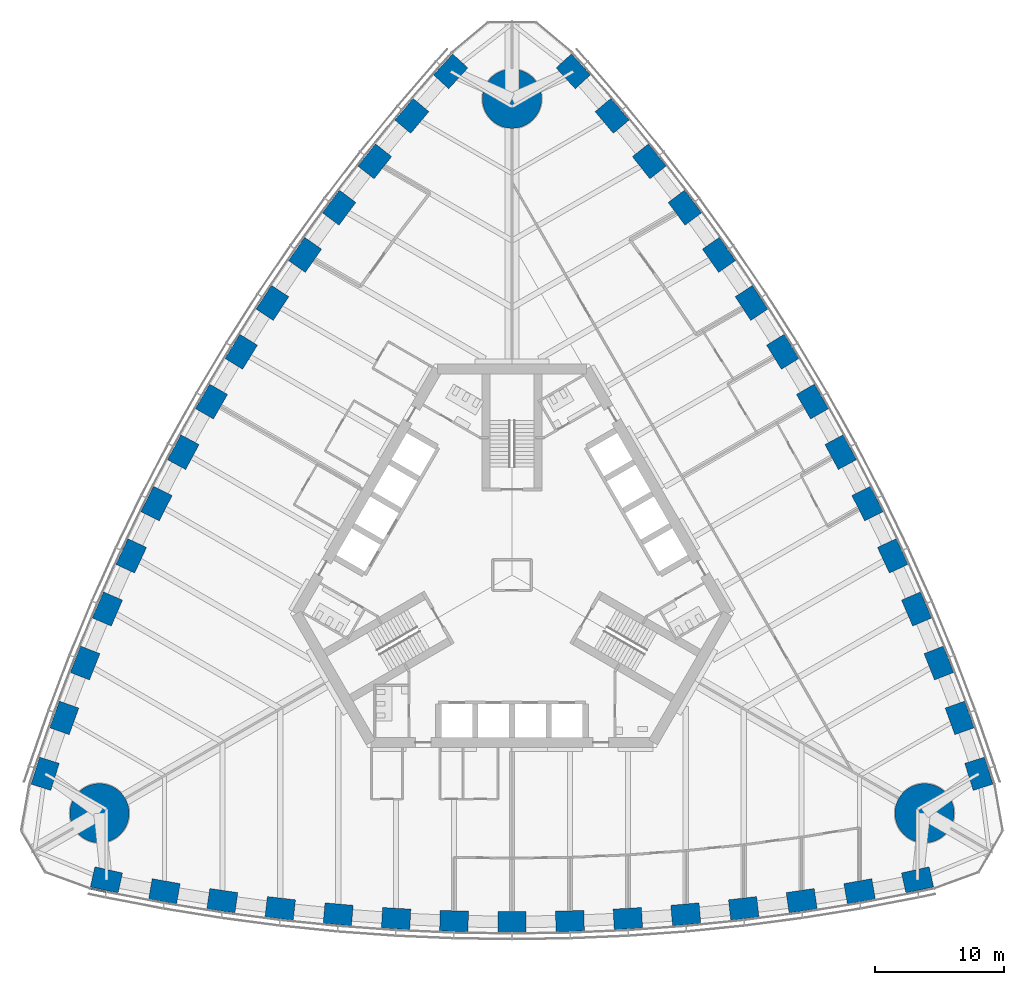
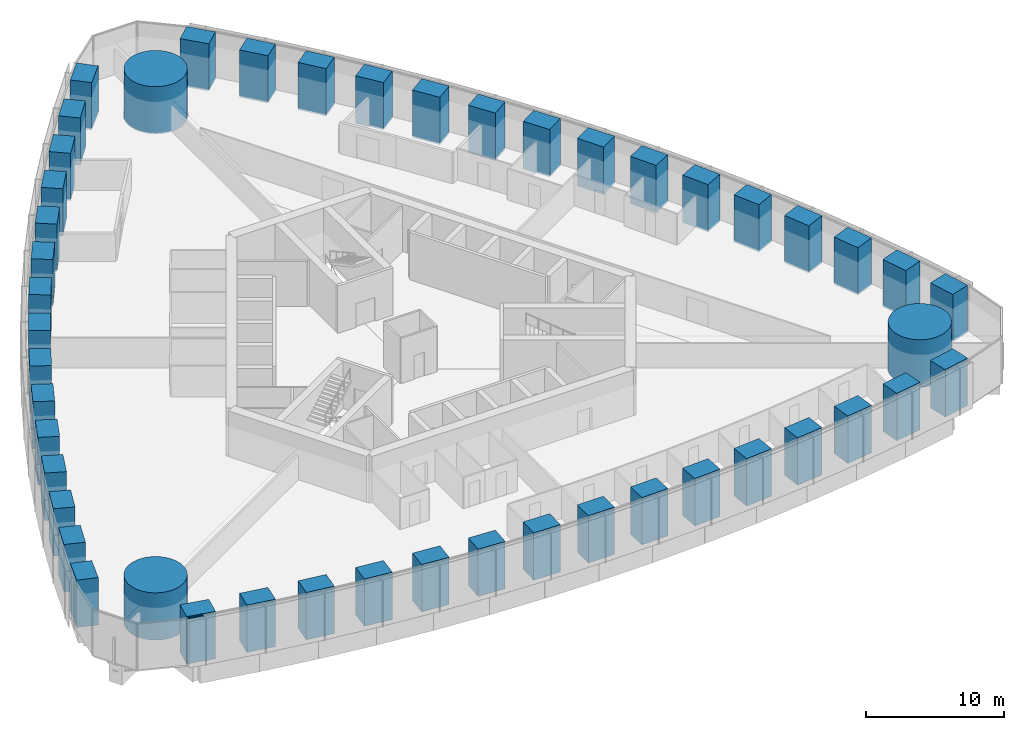
# One storey, part 1 of 18: 48 columns, 1 member, 1 element without a shape of its own.
"""IFC4 building model written with IfcOpenShell, lengths in metres."""

from ifc_helpers import new_model, si_unit, direction, frame, origin, origin_2d, place, context, subcontext, project, spatial, rectangle, circle, extrude, material, material_profile, profile_set, type_object, element, aggregate, save


model = new_model("IFC4")

# Units and contexts
model_context = context("Model", 3, precision=1e-05, world=origin(), true_north=direction((0.0, 1.0)))
body_context = subcontext(model_context, "Body", "Model", "MODEL_VIEW")
ifc_project = project(units=[si_unit("LENGTHUNIT", "METRE"), si_unit("AREAUNIT", "SQUARE_METRE"), si_unit("VOLUMEUNIT", "CUBIC_METRE"), si_unit("PLANEANGLEUNIT", "RADIAN"), si_unit("MASSUNIT", "GRAM", prefix="KILO")], contexts=[model_context])

# Site, building, storey
site_placement = place(None, origin())
site = spatial("IfcSite", under=ifc_project, at=site_placement, CompositionType="ELEMENT")
building_placement = place(site_placement, origin())
building = spatial("IfcBuilding", under=site, at=building_placement, Name="Trefoil Bronze Tower", CompositionType="ELEMENT")
storey_placement = place(building_placement, frame((0.0, 0.0, 66.89990234375)))
storey = spatial("IfcBuildingStorey", under=building, at=storey_placement, Name="L15", CompositionType="ELEMENT", Elevation=66.89990234375)

# Columns
ifc_material_1 = material(Name="Concrete B80", Category="concrete")
ifc_material_profile_1 = material_profile(ifc_material_1, circle(Radius=2.300048828125, at=origin_2d()), Name="RC D4600")
ifc_profile_set_1 = profile_set([ifc_material_profile_1], Name="Concrete B80")
column_type_1 = type_object("IfcColumnType", Name="Mega column RC D4600", PredefinedType="COLUMN", material=ifc_profile_set_1)
for number, where, z_axis, x_axis, name in (
    (1, (32.04296875, -18.5, 0.0), (0.0, 0.0, 1.0), (1.0, 0.0, 0.0), "Mega column K1 L15"),
    (2, (0.0, 37.0, 0.0), (0.0, 0.0, 1.0), (1.0, 0.0, 0.0), "Mega column K2 L15"),
    (3, (-32.04296875, -18.5, 0.0), (0.0, 0.0, 1.0), (1.0, 0.0, 0.0), "Mega column K3 L15"),
):
    element("IfcColumn", number, at=place(storey_placement, frame(where, z_axis=z_axis, x_axis=x_axis)), inside=storey, type_object=column_type_1, Name=name, PredefinedType="COLUMN", context=body_context, shape_type="SweptSolid", body=[
        extrude(circle(Radius=2.300048828125, at=origin_2d()), origin(), (0.0, 0.0, 1.0), 4.2001953125),
    ])
ifc_material_2 = material(Name="Concrete B80", Category="concrete")
ifc_material_profile_2 = material_profile(ifc_material_2, rectangle(XDim=2.199951171875, YDim=1.60009765625, at=origin_2d()), Name="RC 2200x1600")
ifc_profile_set_2 = profile_set([ifc_material_profile_2], Name="Concrete B80")
column_type_2 = type_object("IfcColumnType", Name="Tube column RC 2200x1600", PredefinedType="COLUMN", material=ifc_profile_set_2)
for number, where, z_axis, x_axis, name in (
    (4, (-31.5, -23.684814453125, 0.0), (0.0, 0.0, 1.0), (0.976229647342, -0.216738726697, 0.0), "Tube column F1/-7 L15"),
    (5, (-27.0, -24.56787109375, 0.0), (0.0, 0.0, 1.0), (0.984722470468, -0.174131146426, 0.0), "Tube column F1/-6 L15"),
    (6, (-22.5, -25.29931640625, 0.0), (0.0, 0.0, 1.0), (0.989415676546, -0.145108990094, 0.0), "Tube column F1/-5 L15"),
    (7, (-18.0, -25.895263671875, 0.0), (0.0, 0.0, 1.0), (0.993239048989, -0.116086999973, 0.0), "Tube column F1/-4 L15"),
    (8, (-13.5, -26.35693359375, 0.0), (0.0, 0.0, 1.0), (0.996202620701, -0.087065139456, 0.0), "Tube column F1/-3 L15"),
    (9, (-9.0, -26.68603515625, 0.0), (0.0, 0.0, 1.0), (0.998314062162, -0.058043374207, 0.0), "Tube column F1/-2 L15"),
    (10, (-4.5, -26.883056640625, 0.0), (0.0, 0.0, 1.0), (0.999578782577, -0.029021671584, 0.0), "Tube column F1/-1 L15"),
    (11, (0.0, -26.94873046875, 0.0), (0.0, 0.0, 1.0), (1.0, 0.0, 0.0), "Tube column F1/+0 L15"),
    (12, (4.5, -26.883056640625, 0.0), (0.0, 0.0, 1.0), (0.999578782577, 0.029021671584, 0.0), "Tube column F1/+1 L15"),
    (13, (9.0, -26.68603515625, 0.0), (0.0, 0.0, 1.0), (0.998314062162, 0.058043374207, 0.0), "Tube column F1/+2 L15"),
    (14, (13.5, -26.35693359375, 0.0), (0.0, 0.0, 1.0), (0.996202620701, 0.087065139456, 0.0), "Tube column F1/+3 L15"),
    (15, (18.0, -25.895263671875, 0.0), (0.0, 0.0, 1.0), (0.993239048989, 0.116086999973, 0.0), "Tube column F1/+4 L15"),
    (16, (22.5, -25.29931640625, 0.0), (0.0, 0.0, 1.0), (0.989415676546, 0.145108990094, 0.0), "Tube column F1/+5 L15"),
    (17, (27.0, -24.56787109375, 0.0), (0.0, 0.0, 1.0), (0.984722470468, 0.174131146426, 0.0), "Tube column F1/+6 L15"),
    (18, (31.5, -23.684814453125, 0.0), (0.0, 0.0, 1.0), (0.976229647342, 0.216738726697, 0.0), "Tube column F1/+7 L15"),
    (19, (36.26171875, -15.4375, 0.0), (0.0, 0.0, 1.0), (-0.300413580368, 0.953809037874, 0.0), "Tube column F2/-7 L15"),
    (20, (34.7763671875, -11.0986328125, 0.0), (0.0, 0.0, 1.0), (-0.341559238839, 0.939860248316, 0.0), "Tube column F2/-6 L15"),
    (21, (33.159912109375, -6.8359375, 0.0), (0.0, 0.0, 1.0), (-0.369039766534, 0.929413605838, 0.0), "Tube column F2/-5 L15"),
    (22, (31.42578125, -2.640869140625, 0.0), (0.0, 0.0, 1.0), (-0.396085233469, 0.918213748442, 0.0), "Tube column F2/-4 L15"),
    (23, (29.575927734375, 1.487060546875, 0.0), (0.0, 0.0, 1.0), (-0.422700687798, 0.906269346572, 0.0), "Tube column F2/-3 L15"),
    (24, (27.61083984375, 5.548828125, 0.0), (0.0, 0.0, 1.0), (-0.448889994497, 0.893587025891, 0.0), "Tube column F2/-2 L15"),
    (25, (25.531494140625, 9.54443359375, 0.0), (0.0, 0.0, 1.0), (-0.474655886437, 0.880171454588, 0.0), "Tube column F2/-1 L15"),
    (26, (23.33837890625, 13.474365234375, 0.0), (0.0, 0.0, 1.0), (-0.5, 0.866025403784, 0.0), "Tube column F2/+0 L15"),
    (27, (21.031494140625, 17.338623046875, 0.0), (0.0, 0.0, 1.0), (-0.524922896141, 0.851149783004, 0.0), "Tube column F2/+1 L15"),
    (28, (18.61083984375, 21.13720703125, 0.0), (0.0, 0.0, 1.0), (-0.549424067665, 0.835543651684, 0.0), "Tube column F2/+2 L15"),
    (29, (16.075927734375, 24.869873046875, 0.0), (0.0, 0.0, 1.0), (-0.573501932903, 0.819204207116, 0.0), "Tube column F2/+3 L15"),
    (30, (13.42578125, 28.5361328125, 0.0), (0.0, 0.0, 1.0), (-0.59715381552, 0.802126748469, 0.0), "Tube column F2/+4 L15"),
    (31, (10.659912109375, 32.13525390625, 0.0), (0.0, 0.0, 1.0), (-0.620375910011, 0.784304615744, 0.0), "Tube column F2/+5 L15"),
    (32, (7.7763671875, 35.666748046875, 0.0), (0.0, 0.0, 1.0), (-0.643163231629, 0.765729101889, 0.0), "Tube column F2/+6 L15"),
    (33, (4.76171875, 39.122314453125, 0.0), (0.0, 0.0, 1.0), (-0.675816066975, 0.737070311177, 0.0), "Tube column F2/+7 L15"),
    (34, (-4.76171875, 39.122314453125, 0.0), (0.0, 0.0, 1.0), (-0.675816066975, -0.737070311177, 0.0), "Tube column F3/-7 L15"),
    (35, (-7.7763671875, 35.666748046875, 0.0), (0.0, 0.0, 1.0), (-0.643163231629, -0.765729101889, 0.0), "Tube column F3/-6 L15"),
    (36, (-10.659912109375, 32.13525390625, 0.0), (0.0, 0.0, 1.0), (-0.620375910011, -0.784304615744, 0.0), "Tube column F3/-5 L15"),
    (37, (-13.42578125, 28.5361328125, 0.0), (0.0, 0.0, 1.0), (-0.59715381552, -0.802126748469, 0.0), "Tube column F3/-4 L15"),
    (38, (-16.075927734375, 24.869873046875, 0.0), (0.0, 0.0, 1.0), (-0.573501932903, -0.819204207116, 0.0), "Tube column F3/-3 L15"),
    (39, (-18.61083984375, 21.13720703125, 0.0), (0.0, 0.0, 1.0), (-0.549424067665, -0.835543651684, 0.0), "Tube column F3/-2 L15"),
    (40, (-21.031494140625, 17.338623046875, 0.0), (0.0, 0.0, 1.0), (-0.524922896141, -0.851149783004, 0.0), "Tube column F3/-1 L15"),
    (41, (-23.33837890625, 13.474365234375, 0.0), (0.0, 0.0, 1.0), (-0.5, -0.866025403784, 0.0), "Tube column F3/+0 L15"),
    (42, (-25.531494140625, 9.54443359375, 0.0), (0.0, 0.0, 1.0), (-0.474655886437, -0.880171454588, 0.0), "Tube column F3/+1 L15"),
    (43, (-27.61083984375, 5.548828125, 0.0), (0.0, 0.0, 1.0), (-0.448889994497, -0.893587025891, 0.0), "Tube column F3/+2 L15"),
    (44, (-29.575927734375, 1.487060546875, 0.0), (0.0, 0.0, 1.0), (-0.422700687798, -0.906269346572, 0.0), "Tube column F3/+3 L15"),
    (45, (-31.42578125, -2.640869140625, 0.0), (0.0, 0.0, 1.0), (-0.396085233469, -0.918213748442, 0.0), "Tube column F3/+4 L15"),
    (46, (-33.159912109375, -6.8359375, 0.0), (0.0, 0.0, 1.0), (-0.369039766534, -0.929413605838, 0.0), "Tube column F3/+5 L15"),
    (47, (-34.7763671875, -11.0986328125, 0.0), (0.0, 0.0, 1.0), (-0.341559238839, -0.939860248316, 0.0), "Tube column F3/+6 L15"),
    (48, (-36.26171875, -15.4375, 0.0), (0.0, 0.0, 1.0), (-0.300413580368, -0.953809037874, 0.0), "Tube column F3/+7 L15"),
):
    element("IfcColumn", number, at=place(storey_placement, frame(where, z_axis=z_axis, x_axis=x_axis)), inside=storey, type_object=column_type_2, Name=name, PredefinedType="COLUMN", context=body_context, shape_type="SweptSolid", body=[
        extrude(rectangle(XDim=2.199951171875, YDim=1.60009765625, at=origin_2d()), origin(), (0.0, 0.0, 1.0), 4.2001953125),
    ])

# Curtain wall, member
ifc_material_3 = material(Name="Tinted solar-control glass", Category="glass")
curtain_wall_type = type_object("IfcCurtainWallType", Name="Bronze office curtain wall", PredefinedType="USERDEFINED", material=ifc_material_3)
curtain_wall_placement = place(storey_placement, origin())
curtain_wall = element("IfcCurtainWall", 49, at=curtain_wall_placement, inside=storey, type_object=curtain_wall_type, Name="CW-A L15 F1", ObjectType="CURTAIN WALL", PredefinedType="USERDEFINED")
ifc_material_4 = material(Name="Bronze-finish aluminium", Category="aluminium")
ifc_material_profile_3 = material_profile(ifc_material_4, rectangle(XDim=0.1201171875, YDim=0.10009765625, at=origin_2d()), Name="CW-A transom")
ifc_profile_set_3 = profile_set([ifc_material_profile_3], Name="Bronze-finish aluminium")
member_type = type_object("IfcMemberType", Name="Bronze office curtain wall transom", PredefinedType="USERDEFINED", material=ifc_profile_set_3)
member_placement = place(storey_placement, frame((-32.743896484375, -24.354736328125, 4.130126953125), z_axis=(0.978266371807, -0.207352129942, 0.0), x_axis=(0.207352129942, 0.978266371807, 0.0)))
member = element("IfcMember", 50, at=member_placement, type_object=member_type, Name="CW-A L15 F1 transom 1", ObjectType="TRANSOM", PredefinedType="USERDEFINED", context=body_context, shape_type="SweptSolid", body=[
    extrude(rectangle(XDim=0.1201171875, YDim=0.10009765625, at=origin_2d()), origin(), (0.0, 0.0, 1.0), 1.21044921875),
])
aggregate(curtain_wall, [member])

save(model, "model.ifc")
